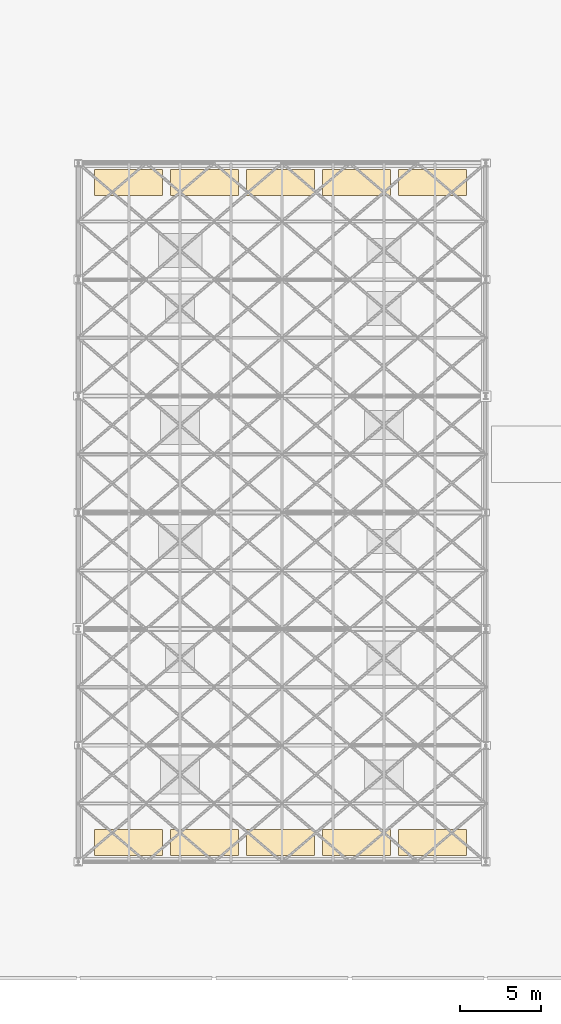
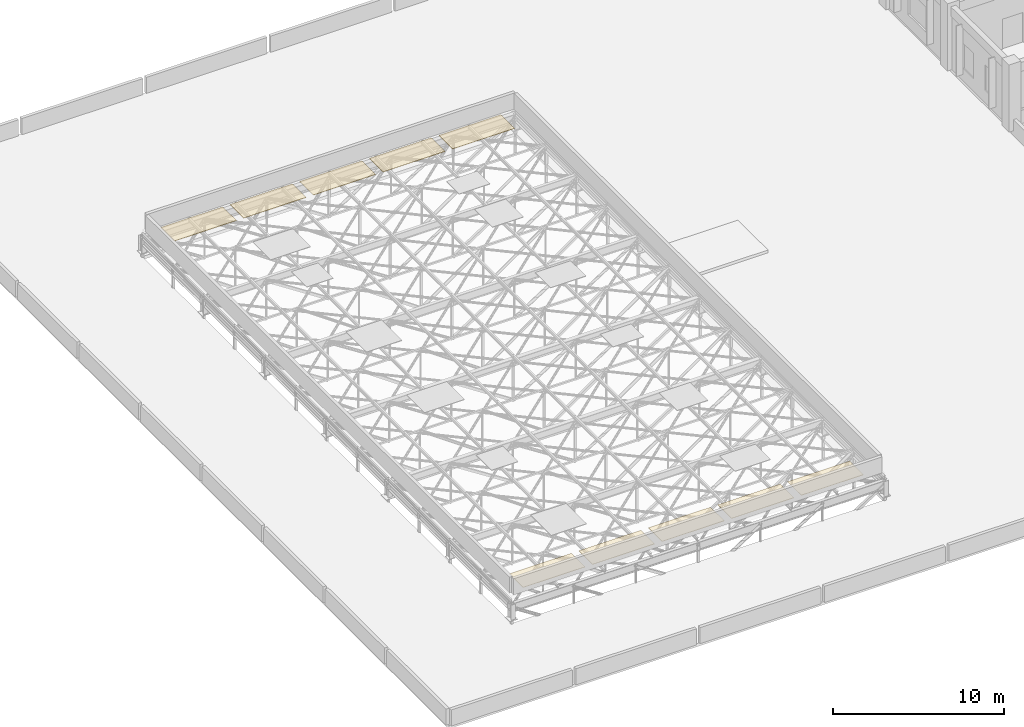
# One storey, part 43 of 45: 10 coverings.
"""IFC4 building model written with IfcOpenShell, lengths in metres."""

from ifc_helpers import new_model, si_unit, derived_unit, direction, frame, origin, place, context, subcontext, project, spatial, polyline, outline, extrude, material, layer, layer_set, type_object, element, save


model = new_model("IFC4")

# Units and contexts
model_context = context("Model", 3, precision=1e-05, world=origin(), true_north=direction((0.0, 1.0)))
body_context = subcontext(model_context, "Body", "Model", "MODEL_VIEW")
ifc_project = project(units=[si_unit("LENGTHUNIT", "METRE"), si_unit("AREAUNIT", "SQUARE_METRE"), si_unit("VOLUMEUNIT", "CUBIC_METRE"), si_unit("PLANEANGLEUNIT", "RADIAN"), si_unit("MASSUNIT", "GRAM", prefix="KILO"), derived_unit("THERMALTRANSMITTANCEUNIT", [(si_unit("MASSUNIT", "GRAM", prefix="KILO"), 1), (si_unit("TIMEUNIT", "SECOND"), -3), (si_unit("THERMODYNAMICTEMPERATUREUNIT", "KELVIN"), -1)])], contexts=[model_context])

# Site, building, storey
site_placement = place(None, origin())
site = spatial("IfcSite", under=ifc_project, at=site_placement, CompositionType="ELEMENT")
building_placement = place(site_placement, origin())
building = spatial("IfcBuilding", under=site, at=building_placement, Name="Veldstrom Oceanarium and Marine Research Institute", CompositionType="ELEMENT")
storey_placement = place(building_placement, frame((0.0, 0.0, 22.199951171875)))
storey = spatial("IfcBuildingStorey", under=building, at=storey_placement, Name="L04", CompositionType="ELEMENT", Elevation=22.199951171875)

# Coverings
ifc_material = material(Name="TPO Waterproofing Membrane", Category="membrane")
ifc_layer = layer(ifc_material, 0.030029296875)
ifc_layer_set = layer_set([ifc_layer], Name="ARC-COV-RF1")
covering_type = type_object("IfcCoveringType", Name="ARC-COV-RF1", PredefinedType="ROOFING", material=ifc_layer_set)
covering_1_placement = place(storey_placement, frame((0.0, 0.0, 1.60009765625)))
element("IfcCovering", 1, at=covering_1_placement, inside=storey, type_object=covering_type, Name="TPO Roof Waterproofing Membrane L03-01", PredefinedType="ROOFING", context=body_context, shape_type="SweptSolid", body=[
    extrude(outline(polyline([(17.800048828125, 14.800048828125), (22.0, 14.800048828125), (22.0, 16.39990234375), (17.800048828125, 16.39990234375), (17.800048828125, 14.800048828125)])), origin(), (0.0, 0.0, 1.0), 0.030029296875),
])
covering_2_placement = place(storey_placement, frame((0.0, 0.0, 1.60009765625)))
element("IfcCovering", 2, at=covering_2_placement, inside=storey, type_object=covering_type, Name="TPO Roof Waterproofing Membrane L03-02", PredefinedType="ROOFING", context=body_context, shape_type="SweptSolid", body=[
    extrude(outline(polyline([(22.5, 14.800048828125), (26.699951171875, 14.800048828125), (26.699951171875, 16.39990234375), (22.5, 16.39990234375), (22.5, 14.800048828125)])), origin(), (0.0, 0.0, 1.0), 0.030029296875),
])
covering_3_placement = place(storey_placement, frame((0.0, 0.0, 1.60009765625)))
element("IfcCovering", 3, at=covering_3_placement, inside=storey, type_object=covering_type, Name="TPO Roof Waterproofing Membrane L03-03", PredefinedType="ROOFING", context=body_context, shape_type="SweptSolid", body=[
    extrude(outline(polyline([(27.199951171875, 14.800048828125), (31.39990234375, 14.800048828125), (31.39990234375, 16.39990234375), (27.199951171875, 16.39990234375), (27.199951171875, 14.800048828125)])), origin(), (0.0, 0.0, 1.0), 0.030029296875),
])
covering_4_placement = place(storey_placement, frame((0.0, 0.0, 1.60009765625)))
element("IfcCovering", 4, at=covering_4_placement, inside=storey, type_object=covering_type, Name="TPO Roof Waterproofing Membrane L03-04", PredefinedType="ROOFING", context=body_context, shape_type="SweptSolid", body=[
    extrude(outline(polyline([(31.89990234375, 14.800048828125), (36.10009765625, 14.800048828125), (36.10009765625, 16.39990234375), (31.89990234375, 16.39990234375), (31.89990234375, 14.800048828125)])), origin(), (0.0, 0.0, 1.0), 0.030029296875),
])
covering_5_placement = place(storey_placement, frame((0.0, 0.0, 1.60009765625)))
element("IfcCovering", 5, at=covering_5_placement, inside=storey, type_object=covering_type, Name="TPO Roof Waterproofing Membrane L03-05", PredefinedType="ROOFING", context=body_context, shape_type="SweptSolid", body=[
    extrude(outline(polyline([(36.60009765625, 14.800048828125), (40.800048828125, 14.800048828125), (40.800048828125, 16.39990234375), (36.60009765625, 16.39990234375), (36.60009765625, 14.800048828125)])), origin(), (0.0, 0.0, 1.0), 0.030029296875),
])
covering_6_placement = place(storey_placement, frame((0.0, 0.0, 1.60009765625)))
element("IfcCovering", 6, at=covering_6_placement, inside=storey, type_object=covering_type, Name="TPO Roof Waterproofing Membrane L03-06", PredefinedType="ROOFING", context=body_context, shape_type="SweptSolid", body=[
    extrude(outline(polyline([(17.800048828125, 55.60009765625), (22.0, 55.60009765625), (22.0, 57.199951171875), (17.800048828125, 57.199951171875), (17.800048828125, 55.60009765625)])), origin(), (0.0, 0.0, 1.0), 0.030029296875),
])
covering_7_placement = place(storey_placement, frame((0.0, 0.0, 1.60009765625)))
element("IfcCovering", 7, at=covering_7_placement, inside=storey, type_object=covering_type, Name="TPO Roof Waterproofing Membrane L03-07", PredefinedType="ROOFING", context=body_context, shape_type="SweptSolid", body=[
    extrude(outline(polyline([(22.5, 55.60009765625), (26.699951171875, 55.60009765625), (26.699951171875, 57.199951171875), (22.5, 57.199951171875), (22.5, 55.60009765625)])), origin(), (0.0, 0.0, 1.0), 0.030029296875),
])
covering_8_placement = place(storey_placement, frame((0.0, 0.0, 1.60009765625)))
element("IfcCovering", 8, at=covering_8_placement, inside=storey, type_object=covering_type, Name="TPO Roof Waterproofing Membrane L03-08", PredefinedType="ROOFING", context=body_context, shape_type="SweptSolid", body=[
    extrude(outline(polyline([(27.199951171875, 55.60009765625), (31.39990234375, 55.60009765625), (31.39990234375, 57.199951171875), (27.199951171875, 57.199951171875), (27.199951171875, 55.60009765625)])), origin(), (0.0, 0.0, 1.0), 0.030029296875),
])
covering_9_placement = place(storey_placement, frame((0.0, 0.0, 1.60009765625)))
element("IfcCovering", 9, at=covering_9_placement, inside=storey, type_object=covering_type, Name="TPO Roof Waterproofing Membrane L03-09", PredefinedType="ROOFING", context=body_context, shape_type="SweptSolid", body=[
    extrude(outline(polyline([(31.89990234375, 55.60009765625), (36.10009765625, 55.60009765625), (36.10009765625, 57.199951171875), (31.89990234375, 57.199951171875), (31.89990234375, 55.60009765625)])), origin(), (0.0, 0.0, 1.0), 0.030029296875),
])
covering_10_placement = place(storey_placement, frame((0.0, 0.0, 1.60009765625)))
element("IfcCovering", 10, at=covering_10_placement, inside=storey, type_object=covering_type, Name="TPO Roof Waterproofing Membrane L03-10", PredefinedType="ROOFING", context=body_context, shape_type="SweptSolid", body=[
    extrude(outline(polyline([(36.60009765625, 55.60009765625), (40.800048828125, 55.60009765625), (40.800048828125, 57.199951171875), (36.60009765625, 57.199951171875), (36.60009765625, 55.60009765625)])), origin(), (0.0, 0.0, 1.0), 0.030029296875),
])

save(model, "model.ifc")
